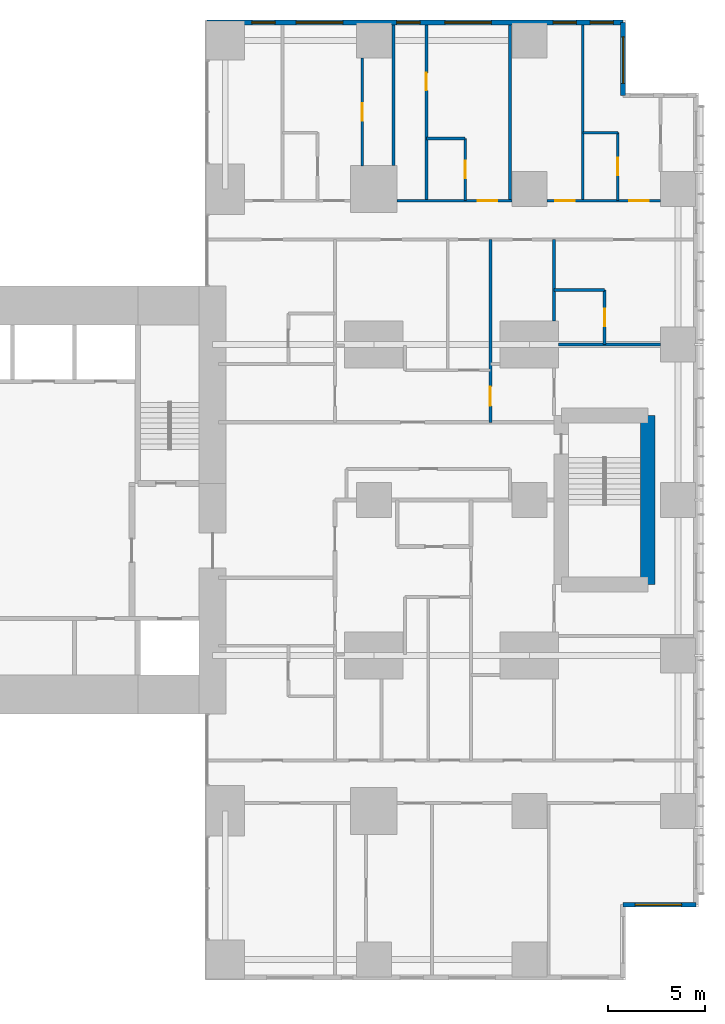
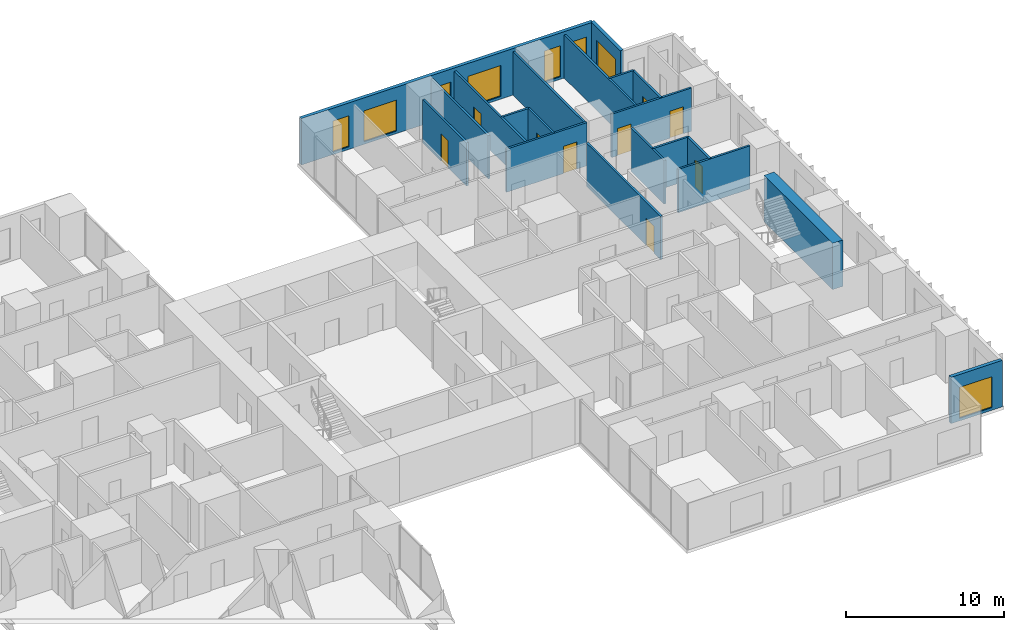
# One storey, part 18 of 20: 20 walls, 9 doors, 8 windows, 17 openings.
"""IFC4 building model written with IfcOpenShell, lengths in metres."""

from ifc_helpers import new_model, si_unit, direction, frame, frame_2d, origin, place, context, subcontext, project, spatial, rectangle, extrude, material, layer, layer_set, type_object, element, fill, save


model = new_model("IFC4")

# Units and contexts
model_context = context("Model", 3, precision=1e-05, world=origin(), true_north=direction((0.0, 1.0)))
body_context = subcontext(model_context, "Body", "Model", "MODEL_VIEW")
ifc_project = project(units=[si_unit("LENGTHUNIT", "METRE"), si_unit("AREAUNIT", "SQUARE_METRE"), si_unit("VOLUMEUNIT", "CUBIC_METRE"), si_unit("PLANEANGLEUNIT", "RADIAN"), si_unit("MASSUNIT", "GRAM", prefix="KILO")], contexts=[model_context])

# Site, building, storey
site_placement = place(None, origin())
site = spatial("IfcSite", under=ifc_project, at=site_placement, CompositionType="ELEMENT")
building_placement = place(site_placement, origin())
building = spatial("IfcBuilding", under=site, at=building_placement, Name="Cleftline Residences", CompositionType="ELEMENT")
storey_placement = place(building_placement, frame((0.0, 0.0, 196.60009765625)))
storey = spatial("IfcBuildingStorey", under=building, at=storey_placement, Name="L51", CompositionType="ELEMENT", Elevation=196.60009765625)

# Wall, opening, window
ifc_material_1 = material(Name="Rendered reinforced concrete blockwork", Category="masonry")
ifc_layer_1 = layer(ifc_material_1, 0.25)
ifc_layer_set_1 = layer_set([ifc_layer_1], Name="EXTERNAL WALL 250")
wall_type_1 = type_object("IfcWallType", Name="EXTERNAL WALL 250", PredefinedType="SOLIDWALL", material=ifc_layer_set_1)
wall_1_placement = place(storey_placement, frame((62.824951171875, 3.175048828125, 0.0), z_axis=(0.0, 0.0, 1.0), x_axis=(1.0, 0.0, 0.0)))
wall_1 = element("IfcWall", 1, at=wall_1_placement, inside=storey, type_object=wall_type_1, Name="External wall", PredefinedType="SOLIDWALL", context=body_context, shape_type="SweptSolid", body=[
    extrude(rectangle(XDim=3.75, YDim=0.25, at=frame_2d((1.875, 0.0))), origin(), (0.0, 0.0, 1.0), 3.599853515625),
])
opening_1_placement = place(wall_1_placement, frame((0.612548828125, 0.0, 0.199951171875)))
opening_1 = element("IfcOpeningElement", 2, at=opening_1_placement, cuts=wall_1, Name="Opening W9", PredefinedType="OPENING", context=body_context, shape_type="SweptSolid", body=[
    extrude(rectangle(XDim=2.39990234375, YDim=2.39990234375, at=frame_2d((1.199951171875, 1.199951171875))), frame((0.0, 0.135009765625, 0.0), z_axis=(0.0, -1.0, 0.0), x_axis=(1.0, 0.0, 0.0)), (0.0, 0.0, 1.0), 0.27001953125),
])
ifc_material_2 = material(Name="Aluminium frame, clear double glazing", Category="aluminium")
window_type_1 = type_object("IfcWindowType", Name="WINDOW 2400X2400", PartitioningType="DOUBLE_PANEL_VERTICAL", PredefinedType="WINDOW", material=ifc_material_2)
window_1_placement = place(opening_1_placement, origin())
window_1 = element("IfcWindow", 3, at=window_1_placement, inside=storey, type_object=window_type_1, Name="Window", OverallHeight=2.39990234375, OverallWidth=2.39990234375, PartitioningType="SINGLE_PANEL", PredefinedType="WINDOW", context=body_context, shape_type="SweptSolid", body=[
    extrude(rectangle(XDim=2.39990234375, YDim=2.39990234375, at=frame_2d((1.199951171875, 1.199951171875))), frame((0.0, 0.030029296875, 0.0), z_axis=(0.0, -1.0, 0.0), x_axis=(1.0, 0.0, 0.0)), (0.0, 0.0, 1.0), 0.06005859375),
])
fill(opening_1, window_1)

wall_2_placement = place(storey_placement, frame((62.824951171875, 44.824951171875, 0.0), z_axis=(0.0, 0.0, 1.0), x_axis=(0.0, 1.0, 0.0)))
wall_2 = element("IfcWall", 4, at=wall_2_placement, inside=storey, type_object=wall_type_1, Name="External wall", PredefinedType="SOLIDWALL", context=body_context, shape_type="SweptSolid", body=[
    extrude(rectangle(XDim=3.75, YDim=0.25, at=frame_2d((1.875, 0.0))), origin(), (0.0, 0.0, 1.0), 3.599853515625),
])
opening_2_placement = place(wall_2_placement, frame((0.612548828125, 0.0, 0.199951171875)))
opening_2 = element("IfcOpeningElement", 5, at=opening_2_placement, cuts=wall_2, Name="Opening W9", PredefinedType="OPENING", context=body_context, shape_type="SweptSolid", body=[
    extrude(rectangle(XDim=2.39990234375, YDim=2.39990234375, at=frame_2d((1.199951171875, 1.199951171875))), frame((0.0, 0.135009765625, 0.0), z_axis=(0.0, -1.0, 0.0), x_axis=(1.0, 0.0, 0.0)), (0.0, 0.0, 1.0), 0.27001953125),
])
window_2_placement = place(opening_2_placement, origin())
window_2 = element("IfcWindow", 6, at=window_2_placement, inside=storey, type_object=window_type_1, Name="Window", OverallHeight=2.39990234375, OverallWidth=2.39990234375, PartitioningType="SINGLE_PANEL", PredefinedType="WINDOW", context=body_context, shape_type="SweptSolid", body=[
    extrude(rectangle(XDim=2.39990234375, YDim=2.39990234375, at=frame_2d((1.199951171875, 1.199951171875))), frame((0.0, 0.030029296875, 0.0), z_axis=(0.0, -1.0, 0.0), x_axis=(1.0, 0.0, 0.0)), (0.0, 0.0, 1.0), 0.06005859375),
])
fill(opening_2, window_2)

# Wall, openings, windows
wall_3_placement = place(storey_placement, frame((62.824951171875, 48.574951171875, 0.0), z_axis=(0.0, 0.0, 1.0), x_axis=(-1.0, 0.0, 0.0)))
wall_3 = element("IfcWall", 7, at=wall_3_placement, inside=storey, type_object=wall_type_1, Name="External wall", PredefinedType="SOLIDWALL", context=body_context, shape_type="SweptSolid", body=[
    extrude(rectangle(XDim=21.39990234375, YDim=0.25, at=frame_2d((10.699951171875, 0.0))), origin(), (0.0, 0.0, 1.0), 3.599853515625),
])
opening_3_placement = place(wall_3_placement, frame((0.5, 0.0, 0.199951171875)))
opening_3 = element("IfcOpeningElement", 8, at=opening_3_placement, cuts=wall_3, Name="Opening W13", PredefinedType="OPENING", context=body_context, shape_type="SweptSolid", body=[
    extrude(rectangle(XDim=1.199951171875, YDim=2.39990234375, at=frame_2d((0.60009765625, 1.199951171875))), frame((0.0, 0.135009765625, 0.0), z_axis=(0.0, -1.0, 0.0), x_axis=(1.0, 0.0, 0.0)), (0.0, 0.0, 1.0), 0.27001953125),
])
opening_4_placement = place(wall_3_placement, frame((2.39990234375, 0.0, 0.199951171875)))
opening_4 = element("IfcOpeningElement", 9, at=opening_4_placement, cuts=wall_3, Name="Opening W13", PredefinedType="OPENING", context=body_context, shape_type="SweptSolid", body=[
    extrude(rectangle(XDim=1.199951171875, YDim=2.39990234375, at=frame_2d((0.60009765625, 1.199951171875))), frame((0.0, 0.135009765625, 0.0), z_axis=(0.0, -1.0, 0.0), x_axis=(1.0, 0.0, 0.0)), (0.0, 0.0, 1.0), 0.27001953125),
])
opening_5_placement = place(wall_3_placement, frame((6.77490234375, 0.0, 0.199951171875)))
opening_5 = element("IfcOpeningElement", 10, at=opening_5_placement, cuts=wall_3, Name="Opening W9", PredefinedType="OPENING", context=body_context, shape_type="SweptSolid", body=[
    extrude(rectangle(XDim=2.39990234375, YDim=2.39990234375, at=frame_2d((1.199951171875, 1.199951171875))), frame((0.0, 0.135009765625, 0.0), z_axis=(0.0, -1.0, 0.0), x_axis=(1.0, 0.0, 0.0)), (0.0, 0.0, 1.0), 0.27001953125),
])
opening_6_placement = place(wall_3_placement, frame((10.449951171875, 0.0, 0.199951171875)))
opening_6 = element("IfcOpeningElement", 11, at=opening_6_placement, cuts=wall_3, Name="Opening W13", PredefinedType="OPENING", context=body_context, shape_type="SweptSolid", body=[
    extrude(rectangle(XDim=1.199951171875, YDim=2.39990234375, at=frame_2d((0.60009765625, 1.199951171875))), frame((0.0, 0.135009765625, 0.0), z_axis=(0.0, -1.0, 0.0), x_axis=(1.0, 0.0, 0.0)), (0.0, 0.0, 1.0), 0.27001953125),
])
opening_7_placement = place(wall_3_placement, frame((14.425048828125, 0.0, 0.199951171875)))
opening_7 = element("IfcOpeningElement", 12, at=opening_7_placement, cuts=wall_3, Name="Opening W9", PredefinedType="OPENING", context=body_context, shape_type="SweptSolid", body=[
    extrude(rectangle(XDim=2.39990234375, YDim=2.39990234375, at=frame_2d((1.199951171875, 1.199951171875))), frame((0.0, 0.135009765625, 0.0), z_axis=(0.0, -1.0, 0.0), x_axis=(1.0, 0.0, 0.0)), (0.0, 0.0, 1.0), 0.27001953125),
])
opening_8_placement = place(wall_3_placement, frame((17.89990234375, 0.0, 0.199951171875)))
opening_8 = element("IfcOpeningElement", 13, at=opening_8_placement, cuts=wall_3, Name="Opening W13", PredefinedType="OPENING", context=body_context, shape_type="SweptSolid", body=[
    extrude(rectangle(XDim=1.199951171875, YDim=2.39990234375, at=frame_2d((0.60009765625, 1.199951171875))), frame((0.0, 0.135009765625, 0.0), z_axis=(0.0, -1.0, 0.0), x_axis=(1.0, 0.0, 0.0)), (0.0, 0.0, 1.0), 0.27001953125),
])
ifc_material_3 = material(Name="Aluminium frame, clear double glazing", Category="aluminium")
window_type_2 = type_object("IfcWindowType", Name="WINDOW 1200X2400", PartitioningType="DOUBLE_PANEL_VERTICAL", PredefinedType="WINDOW", material=ifc_material_3)
window_3_placement = place(opening_3_placement, origin())
window_3 = element("IfcWindow", 14, at=window_3_placement, inside=storey, type_object=window_type_2, Name="Window", OverallHeight=2.39990234375, OverallWidth=1.199951171875, PartitioningType="SINGLE_PANEL", PredefinedType="WINDOW", context=body_context, shape_type="SweptSolid", body=[
    extrude(rectangle(XDim=1.199951171875, YDim=2.39990234375, at=frame_2d((0.60009765625, 1.199951171875))), frame((0.0, 0.030029296875, 0.0), z_axis=(0.0, -1.0, 0.0), x_axis=(1.0, 0.0, 0.0)), (0.0, 0.0, 1.0), 0.06005859375),
])
fill(opening_3, window_3)
window_4_placement = place(opening_4_placement, origin())
window_4 = element("IfcWindow", 15, at=window_4_placement, inside=storey, type_object=window_type_2, Name="Window", OverallHeight=2.39990234375, OverallWidth=1.199951171875, PartitioningType="SINGLE_PANEL", PredefinedType="WINDOW", context=body_context, shape_type="SweptSolid", body=[
    extrude(rectangle(XDim=1.199951171875, YDim=2.39990234375, at=frame_2d((0.60009765625, 1.199951171875))), frame((0.0, 0.030029296875, 0.0), z_axis=(0.0, -1.0, 0.0), x_axis=(1.0, 0.0, 0.0)), (0.0, 0.0, 1.0), 0.06005859375),
])
fill(opening_4, window_4)
window_5_placement = place(opening_6_placement, origin())
window_5 = element("IfcWindow", 16, at=window_5_placement, inside=storey, type_object=window_type_2, Name="Window", OverallHeight=2.39990234375, OverallWidth=1.199951171875, PartitioningType="SINGLE_PANEL", PredefinedType="WINDOW", context=body_context, shape_type="SweptSolid", body=[
    extrude(rectangle(XDim=1.199951171875, YDim=2.39990234375, at=frame_2d((0.60009765625, 1.199951171875))), frame((0.0, 0.030029296875, 0.0), z_axis=(0.0, -1.0, 0.0), x_axis=(1.0, 0.0, 0.0)), (0.0, 0.0, 1.0), 0.06005859375),
])
fill(opening_6, window_5)
window_6_placement = place(opening_8_placement, origin())
window_6 = element("IfcWindow", 17, at=window_6_placement, inside=storey, type_object=window_type_2, Name="Window", OverallHeight=2.39990234375, OverallWidth=1.199951171875, PartitioningType="SINGLE_PANEL", PredefinedType="WINDOW", context=body_context, shape_type="SweptSolid", body=[
    extrude(rectangle(XDim=1.199951171875, YDim=2.39990234375, at=frame_2d((0.60009765625, 1.199951171875))), frame((0.0, 0.030029296875, 0.0), z_axis=(0.0, -1.0, 0.0), x_axis=(1.0, 0.0, 0.0)), (0.0, 0.0, 1.0), 0.06005859375),
])
fill(opening_8, window_6)
window_7_placement = place(opening_5_placement, origin())
window_7 = element("IfcWindow", 18, at=window_7_placement, inside=storey, type_object=window_type_1, Name="Window", OverallHeight=2.39990234375, OverallWidth=2.39990234375, PartitioningType="SINGLE_PANEL", PredefinedType="WINDOW", context=body_context, shape_type="SweptSolid", body=[
    extrude(rectangle(XDim=2.39990234375, YDim=2.39990234375, at=frame_2d((1.199951171875, 1.199951171875))), frame((0.0, 0.030029296875, 0.0), z_axis=(0.0, -1.0, 0.0), x_axis=(1.0, 0.0, 0.0)), (0.0, 0.0, 1.0), 0.06005859375),
])
fill(opening_5, window_7)
window_8_placement = place(opening_7_placement, origin())
window_8 = element("IfcWindow", 19, at=window_8_placement, inside=storey, type_object=window_type_1, Name="Window", OverallHeight=2.39990234375, OverallWidth=2.39990234375, PartitioningType="SINGLE_PANEL", PredefinedType="WINDOW", context=body_context, shape_type="SweptSolid", body=[
    extrude(rectangle(XDim=2.39990234375, YDim=2.39990234375, at=frame_2d((1.199951171875, 1.199951171875))), frame((0.0, 0.030029296875, 0.0), z_axis=(0.0, -1.0, 0.0), x_axis=(1.0, 0.0, 0.0)), (0.0, 0.0, 1.0), 0.06005859375),
])
fill(opening_7, window_8)

# Walls
ifc_material_4 = material(Name="Gypsum board on steel studs", Category="steel")
ifc_layer_2 = layer(ifc_material_4, 0.14990234375)
ifc_layer_set_2 = layer_set([ifc_layer_2], Name="PARTITION 150")
wall_type_2 = type_object("IfcWallType", Name="PARTITION 150", PredefinedType="PARTITIONING", material=ifc_layer_set_2)
wall_4_placement = place(storey_placement, frame((59.5, 32.0, 0.0), z_axis=(0.0, 0.0, 1.0), x_axis=(1.0, 0.0, 0.0)))
element("IfcWall", 20, at=wall_4_placement, inside=storey, type_object=wall_type_2, Name="Partition", PredefinedType="PARTITIONING", context=body_context, shape_type="SweptSolid", body=[
    extrude(rectangle(XDim=5.25, YDim=0.14990234375, at=frame_2d((2.625, 0.0))), origin(), (0.0, 0.0, 1.0), 3.349853515625),
])
wall_5_placement = place(storey_placement, frame((59.27490234375, 34.800048828125, 0.0), z_axis=(0.0, 0.0, 1.0), x_axis=(1.0, 0.0, 0.0)))
element("IfcWall", 21, at=wall_5_placement, inside=storey, type_object=wall_type_2, Name="Partition", PredefinedType="PARTITIONING", context=body_context, shape_type="SweptSolid", body=[
    extrude(rectangle(XDim=2.60009765625, YDim=0.14990234375, at=frame_2d((1.300048828125, 0.0))), origin(), (0.0, 0.0, 1.0), 3.349853515625),
])

# Wall, opening, door
wall_6_placement = place(storey_placement, frame((51.199951171875, 39.39990234375, 0.0), z_axis=(0.0, 0.0, 1.0), x_axis=(1.0, 0.0, 0.0)))
wall_6 = element("IfcWall", 22, at=wall_6_placement, inside=storey, type_object=wall_type_2, Name="Partition", PredefinedType="PARTITIONING", context=body_context, shape_type="SweptSolid", body=[
    extrude(rectangle(XDim=5.900146484375, YDim=0.14990234375, at=frame_2d((2.9501953125, 0.0))), origin(), (0.0, 0.0, 1.0), 3.349853515625),
])
opening_9_placement = place(wall_6_placement, frame((4.14990234375, 0.0, 0.0)))
opening_9 = element("IfcOpeningElement", 23, at=opening_9_placement, cuts=wall_6, Name="Opening D2", PredefinedType="OPENING", context=body_context, shape_type="SweptSolid", body=[
    extrude(rectangle(XDim=1.0, YDim=2.10009765625, at=frame_2d((0.5, 1.050048828125))), frame((0.0, 0.0849609375, 0.0), z_axis=(0.0, -1.0, 0.0), x_axis=(1.0, 0.0, 0.0)), (0.0, 0.0, 1.0), 0.169921875),
])
ifc_material_5 = material(Name="Timber veneer on solid core", Category="wood")
door_type_1 = type_object("IfcDoorType", Name="DOOR 1000X2100", OperationType="SINGLE_SWING_LEFT", PredefinedType="DOOR", material=ifc_material_5)
door_1_placement = place(opening_9_placement, origin())
door_1 = element("IfcDoor", 24, at=door_1_placement, inside=storey, type_object=door_type_1, Name="Door to bedroom 3", OperationType="SINGLE_SWING_LEFT", OverallHeight=2.10009765625, OverallWidth=1.0, PredefinedType="DOOR", context=body_context, shape_type="SweptSolid", body=[
    extrude(rectangle(XDim=1.0, YDim=2.10009765625, at=frame_2d((0.5, 1.050048828125))), frame((0.0, 0.02490234375, 0.0), z_axis=(0.0, -1.0, 0.0), x_axis=(1.0, 0.0, 0.0)), (0.0, 0.0, 1.0), 0.050048828125),
])
fill(opening_9, door_1)

# Wall, openings, doors
wall_7_placement = place(storey_placement, frame((58.89990234375, 39.39990234375, 0.0), z_axis=(0.0, 0.0, 1.0), x_axis=(1.0, 0.0, 0.0)))
wall_7 = element("IfcWall", 25, at=wall_7_placement, inside=storey, type_object=wall_type_2, Name="Partition", PredefinedType="PARTITIONING", context=body_context, shape_type="SweptSolid", body=[
    extrude(rectangle(XDim=5.85009765625, YDim=0.14990234375, at=frame_2d((2.925048828125, 0.0))), origin(), (0.0, 0.0, 1.0), 3.349853515625),
])
opening_10_placement = place(wall_7_placement, frame((4.25, 0.0, 0.0)))
opening_10 = element("IfcOpeningElement", 26, at=opening_10_placement, cuts=wall_7, Name="Opening D2", PredefinedType="OPENING", context=body_context, shape_type="SweptSolid", body=[
    extrude(rectangle(XDim=1.0, YDim=2.10009765625, at=frame_2d((0.5, 1.050048828125))), frame((0.0, 0.0849609375, 0.0), z_axis=(0.0, -1.0, 0.0), x_axis=(1.0, 0.0, 0.0)), (0.0, 0.0, 1.0), 0.169921875),
])
opening_11_placement = place(wall_7_placement, frame((0.425048828125, 0.0, 0.0)))
opening_11 = element("IfcOpeningElement", 27, at=opening_11_placement, cuts=wall_7, Name="Opening D2", PredefinedType="OPENING", context=body_context, shape_type="SweptSolid", body=[
    extrude(rectangle(XDim=1.0, YDim=2.10009765625, at=frame_2d((0.5, 1.050048828125))), frame((0.0, 0.0849609375, 0.0), z_axis=(0.0, -1.0, 0.0), x_axis=(1.0, 0.0, 0.0)), (0.0, 0.0, 1.0), 0.169921875),
])
door_2_placement = place(opening_10_placement, origin())
door_2 = element("IfcDoor", 28, at=door_2_placement, inside=storey, type_object=door_type_1, Name="Door to bedroom 2", OperationType="SINGLE_SWING_LEFT", OverallHeight=2.10009765625, OverallWidth=1.0, PredefinedType="DOOR", context=body_context, shape_type="SweptSolid", body=[
    extrude(rectangle(XDim=1.0, YDim=2.10009765625, at=frame_2d((0.5, 1.050048828125))), frame((0.0, 0.02490234375, 0.0), z_axis=(0.0, -1.0, 0.0), x_axis=(1.0, 0.0, 0.0)), (0.0, 0.0, 1.0), 0.050048828125),
])
fill(opening_10, door_2)
door_3_placement = place(opening_11_placement, origin())
door_3 = element("IfcDoor", 29, at=door_3_placement, inside=storey, type_object=door_type_1, Name="Door to bedroom 2 sitting room", OperationType="SINGLE_SWING_RIGHT", OverallHeight=2.10009765625, OverallWidth=1.0, PredefinedType="DOOR", context=body_context, shape_type="SweptSolid", body=[
    extrude(rectangle(XDim=1.0, YDim=2.10009765625, at=frame_2d((0.5, 1.050048828125))), frame((0.0, 0.02490234375, 0.0), z_axis=(0.0, -1.0, 0.0), x_axis=(1.0, 0.0, 0.0)), (0.0, 0.0, 1.0), 0.050048828125),
])
fill(opening_11, door_3)

# Walls
wall_8_placement = place(storey_placement, frame((52.699951171875, 42.60009765625, 0.0), z_axis=(0.0, 0.0, 1.0), x_axis=(1.0, 0.0, 0.0)))
element("IfcWall", 30, at=wall_8_placement, inside=storey, type_object=wall_type_2, Name="Partition", PredefinedType="PARTITIONING", context=body_context, shape_type="SweptSolid", body=[
    extrude(rectangle(XDim=2.0, YDim=0.14990234375, at=frame_2d((1.0, 0.0))), origin(), (0.0, 0.0, 1.0), 3.349853515625),
])
wall_9_placement = place(storey_placement, frame((60.75, 42.89990234375, 0.0), z_axis=(0.0, 0.0, 1.0), x_axis=(1.0, 0.0, 0.0)))
element("IfcWall", 31, at=wall_9_placement, inside=storey, type_object=wall_type_2, Name="Partition", PredefinedType="PARTITIONING", context=body_context, shape_type="SweptSolid", body=[
    extrude(rectangle(XDim=1.800048828125, YDim=0.14990234375, at=frame_2d((0.89990234375, 0.0))), origin(), (0.0, 0.0, 1.0), 3.349853515625),
])

# Wall, opening, door
wall_10_placement = place(storey_placement, frame((49.39990234375, 41.199951171875, 0.0), z_axis=(0.0, 0.0, 1.0), x_axis=(0.0, 1.0, 0.0)))
wall_10 = element("IfcWall", 32, at=wall_10_placement, inside=storey, type_object=wall_type_2, Name="Partition", PredefinedType="PARTITIONING", context=body_context, shape_type="SweptSolid", body=[
    extrude(rectangle(XDim=5.550048828125, YDim=0.14990234375, at=frame_2d((2.77490234375, 0.0))), origin(), (0.0, 0.0, 1.0), 3.349853515625),
])
opening_12_placement = place(wall_10_placement, frame((2.324951171875, 0.0, 0.0)))
opening_12 = element("IfcOpeningElement", 33, at=opening_12_placement, cuts=wall_10, Name="Opening D1", PredefinedType="OPENING", context=body_context, shape_type="SweptSolid", body=[
    extrude(rectangle(XDim=0.89990234375, YDim=2.10009765625, at=frame_2d((0.449951171875, 1.050048828125))), frame((0.0, 0.0849609375, 0.0), z_axis=(0.0, -1.0, 0.0), x_axis=(1.0, 0.0, 0.0)), (0.0, 0.0, 1.0), 0.169921875),
])
ifc_material_6 = material(Name="Timber veneer on solid core", Category="wood")
door_type_2 = type_object("IfcDoorType", Name="DOOR 900X2100", OperationType="SINGLE_SWING_LEFT", PredefinedType="DOOR", material=ifc_material_6)
door_4_placement = place(opening_12_placement, origin())
door_4 = element("IfcDoor", 34, at=door_4_placement, inside=storey, type_object=door_type_2, Name="Door to walk-in wardrobe", OperationType="SINGLE_SWING_LEFT", OverallHeight=2.10009765625, OverallWidth=0.89990234375, PredefinedType="DOOR", context=body_context, shape_type="SweptSolid", body=[
    extrude(rectangle(XDim=0.89990234375, YDim=2.10009765625, at=frame_2d((0.449951171875, 1.050048828125))), frame((0.0, 0.02490234375, 0.0), z_axis=(0.0, -1.0, 0.0), x_axis=(1.0, 0.0, 0.0)), (0.0, 0.0, 1.0), 0.050048828125),
])
fill(opening_12, door_4)

# Wall
wall_11_placement = place(storey_placement, frame((51.0, 41.199951171875, 0.0), z_axis=(0.0, 0.0, 1.0), x_axis=(0.0, 1.0, 0.0)))
element("IfcWall", 35, at=wall_11_placement, inside=storey, type_object=wall_type_2, Name="Partition", PredefinedType="PARTITIONING", context=body_context, shape_type="SweptSolid", body=[
    extrude(rectangle(XDim=7.25, YDim=0.14990234375, at=frame_2d((3.625, 0.0))), origin(), (0.0, 0.0, 1.0), 3.349853515625),
])

# Wall, opening, door
wall_12_placement = place(storey_placement, frame((52.699951171875, 39.39990234375, 0.0), z_axis=(0.0, 0.0, 1.0), x_axis=(0.0, 1.0, 0.0)))
wall_12 = element("IfcWall", 36, at=wall_12_placement, inside=storey, type_object=wall_type_2, Name="Partition", PredefinedType="PARTITIONING", context=body_context, shape_type="SweptSolid", body=[
    extrude(rectangle(XDim=9.050048828125, YDim=0.14990234375, at=frame_2d((4.52490234375, 0.0))), origin(), (0.0, 0.0, 1.0), 3.349853515625),
])
opening_13_placement = place(wall_12_placement, frame((5.675048828125, 0.0, 0.0)))
opening_13 = element("IfcOpeningElement", 37, at=opening_13_placement, cuts=wall_12, Name="Opening D1", PredefinedType="OPENING", context=body_context, shape_type="SweptSolid", body=[
    extrude(rectangle(XDim=0.89990234375, YDim=2.10009765625, at=frame_2d((0.449951171875, 1.050048828125))), frame((0.0, 0.0849609375, 0.0), z_axis=(0.0, -1.0, 0.0), x_axis=(1.0, 0.0, 0.0)), (0.0, 0.0, 1.0), 0.169921875),
])
door_5_placement = place(opening_13_placement, origin())
door_5 = element("IfcDoor", 38, at=door_5_placement, inside=storey, type_object=door_type_2, Name="Door to walk-in wardrobe", OperationType="SINGLE_SWING_LEFT", OverallHeight=2.10009765625, OverallWidth=0.89990234375, PredefinedType="DOOR", context=body_context, shape_type="SweptSolid", body=[
    extrude(rectangle(XDim=0.89990234375, YDim=2.10009765625, at=frame_2d((0.449951171875, 1.050048828125))), frame((0.0, 0.02490234375, 0.0), z_axis=(0.0, -1.0, 0.0), x_axis=(1.0, 0.0, 0.0)), (0.0, 0.0, 1.0), 0.050048828125),
])
fill(opening_13, door_5)

wall_13_placement = place(storey_placement, frame((54.699951171875, 39.39990234375, 0.0), z_axis=(0.0, 0.0, 1.0), x_axis=(0.0, 1.0, 0.0)))
wall_13 = element("IfcWall", 39, at=wall_13_placement, inside=storey, type_object=wall_type_2, Name="Partition", PredefinedType="PARTITIONING", context=body_context, shape_type="SweptSolid", body=[
    extrude(rectangle(XDim=3.2001953125, YDim=0.14990234375, at=frame_2d((1.60009765625, 0.0))), origin(), (0.0, 0.0, 1.0), 3.349853515625),
])
opening_14_placement = place(wall_13_placement, frame((1.14990234375, 0.0, 0.0)))
opening_14 = element("IfcOpeningElement", 40, at=opening_14_placement, cuts=wall_13, Name="Opening D1", PredefinedType="OPENING", context=body_context, shape_type="SweptSolid", body=[
    extrude(rectangle(XDim=0.89990234375, YDim=2.10009765625, at=frame_2d((0.449951171875, 1.050048828125))), frame((0.0, 0.0849609375, 0.0), z_axis=(0.0, -1.0, 0.0), x_axis=(1.0, 0.0, 0.0)), (0.0, 0.0, 1.0), 0.169921875),
])
door_6_placement = place(opening_14_placement, origin())
door_6 = element("IfcDoor", 41, at=door_6_placement, inside=storey, type_object=door_type_2, Name="Door to en-suite bathroom 3", OperationType="SINGLE_SWING_LEFT", OverallHeight=2.10009765625, OverallWidth=0.89990234375, PredefinedType="DOOR", context=body_context, shape_type="SweptSolid", body=[
    extrude(rectangle(XDim=0.89990234375, YDim=2.10009765625, at=frame_2d((0.449951171875, 1.050048828125))), frame((0.0, 0.02490234375, 0.0), z_axis=(0.0, -1.0, 0.0), x_axis=(1.0, 0.0, 0.0)), (0.0, 0.0, 1.0), 0.050048828125),
])
fill(opening_14, door_6)

wall_14_placement = place(storey_placement, frame((56.0, 28.0, 0.0), z_axis=(0.0, 0.0, 1.0), x_axis=(0.0, 1.0, 0.0)))
wall_14 = element("IfcWall", 42, at=wall_14_placement, inside=storey, type_object=wall_type_2, Name="Partition", PredefinedType="PARTITIONING", context=body_context, shape_type="SweptSolid", body=[
    extrude(rectangle(XDim=9.39990234375, YDim=0.14990234375, at=frame_2d((4.699951171875, 0.0))), origin(), (0.0, 0.0, 1.0), 3.349853515625),
])
opening_15_placement = place(wall_14_placement, frame((0.83740234375, 0.0, 0.0)))
opening_15 = element("IfcOpeningElement", 43, at=opening_15_placement, cuts=wall_14, Name="Opening D2F30", PredefinedType="OPENING", context=body_context, shape_type="SweptSolid", body=[
    extrude(rectangle(XDim=1.0, YDim=2.10009765625, at=frame_2d((0.5, 1.050048828125))), frame((0.0, 0.0849609375, 0.0), z_axis=(0.0, -1.0, 0.0), x_axis=(1.0, 0.0, 0.0)), (0.0, 0.0, 1.0), 0.169921875),
])
ifc_material_7 = material(Name="Timber veneer on solid core", Category="wood")
door_type_3 = type_object("IfcDoorType", Name="DOOR 1000X2100 EI 30", OperationType="SINGLE_SWING_LEFT", PredefinedType="DOOR", material=ifc_material_7)
door_7_placement = place(opening_15_placement, origin())
door_7 = element("IfcDoor", 44, at=door_7_placement, inside=storey, type_object=door_type_3, Name="Door to residence lobby (service)", OperationType="SINGLE_SWING_RIGHT", OverallHeight=2.10009765625, OverallWidth=1.0, PredefinedType="DOOR", context=body_context, shape_type="SweptSolid", body=[
    extrude(rectangle(XDim=1.0, YDim=2.10009765625, at=frame_2d((0.5, 1.050048828125))), frame((0.0, 0.02490234375, 0.0), z_axis=(0.0, -1.0, 0.0), x_axis=(1.0, 0.0, 0.0)), (0.0, 0.0, 1.0), 0.050048828125),
])
fill(opening_15, door_7)

# Walls
wall_15_placement = place(storey_placement, frame((57.0, 39.39990234375, 0.0), z_axis=(0.0, 0.0, 1.0), x_axis=(0.0, 1.0, 0.0)))
element("IfcWall", 45, at=wall_15_placement, inside=storey, type_object=wall_type_2, Name="Partition", PredefinedType="PARTITIONING", context=body_context, shape_type="SweptSolid", body=[
    extrude(rectangle(XDim=9.050048828125, YDim=0.14990234375, at=frame_2d((4.52490234375, 0.0))), origin(), (0.0, 0.0, 1.0), 3.349853515625),
])
wall_16_placement = place(storey_placement, frame((59.27490234375, 33.199951171875, 0.0), z_axis=(0.0, 0.0, 1.0), x_axis=(0.0, 1.0, 0.0)))
element("IfcWall", 46, at=wall_16_placement, inside=storey, type_object=wall_type_2, Name="Partition", PredefinedType="PARTITIONING", context=body_context, shape_type="SweptSolid", body=[
    extrude(rectangle(XDim=4.199951171875, YDim=0.14990234375, at=frame_2d((2.10009765625, 0.0))), origin(), (0.0, 0.0, 1.0), 3.349853515625),
])
wall_17_placement = place(storey_placement, frame((60.75, 39.39990234375, 0.0), z_axis=(0.0, 0.0, 1.0), x_axis=(0.0, 1.0, 0.0)))
element("IfcWall", 47, at=wall_17_placement, inside=storey, type_object=wall_type_2, Name="Partition", PredefinedType="PARTITIONING", context=body_context, shape_type="SweptSolid", body=[
    extrude(rectangle(XDim=9.050048828125, YDim=0.14990234375, at=frame_2d((4.52490234375, 0.0))), origin(), (0.0, 0.0, 1.0), 3.349853515625),
])

# Wall, opening, door
wall_18_placement = place(storey_placement, frame((61.875, 32.0, 0.0), z_axis=(0.0, 0.0, 1.0), x_axis=(0.0, 1.0, 0.0)))
wall_18 = element("IfcWall", 48, at=wall_18_placement, inside=storey, type_object=wall_type_2, Name="Partition", PredefinedType="PARTITIONING", context=body_context, shape_type="SweptSolid", body=[
    extrude(rectangle(XDim=2.800048828125, YDim=0.14990234375, at=frame_2d((1.39990234375, 0.0))), origin(), (0.0, 0.0, 1.0), 3.349853515625),
])
opening_16_placement = place(wall_18_placement, frame((0.949951171875, 0.0, 0.0)))
opening_16 = element("IfcOpeningElement", 49, at=opening_16_placement, cuts=wall_18, Name="Opening D1", PredefinedType="OPENING", context=body_context, shape_type="SweptSolid", body=[
    extrude(rectangle(XDim=0.89990234375, YDim=2.10009765625, at=frame_2d((0.449951171875, 1.050048828125))), frame((0.0, 0.0849609375, 0.0), z_axis=(0.0, -1.0, 0.0), x_axis=(1.0, 0.0, 0.0)), (0.0, 0.0, 1.0), 0.169921875),
])
door_8_placement = place(opening_16_placement, origin())
door_8 = element("IfcDoor", 50, at=door_8_placement, inside=storey, type_object=door_type_2, Name="Door to master bathroom", OperationType="SINGLE_SWING_LEFT", OverallHeight=2.10009765625, OverallWidth=0.89990234375, PredefinedType="DOOR", context=body_context, shape_type="SweptSolid", body=[
    extrude(rectangle(XDim=0.89990234375, YDim=2.10009765625, at=frame_2d((0.449951171875, 1.050048828125))), frame((0.0, 0.02490234375, 0.0), z_axis=(0.0, -1.0, 0.0), x_axis=(1.0, 0.0, 0.0)), (0.0, 0.0, 1.0), 0.050048828125),
])
fill(opening_16, door_8)

wall_19_placement = place(storey_placement, frame((62.550048828125, 39.39990234375, 0.0), z_axis=(0.0, 0.0, 1.0), x_axis=(0.0, 1.0, 0.0)))
wall_19 = element("IfcWall", 51, at=wall_19_placement, inside=storey, type_object=wall_type_2, Name="Partition", PredefinedType="PARTITIONING", context=body_context, shape_type="SweptSolid", body=[
    extrude(rectangle(XDim=3.5, YDim=0.14990234375, at=frame_2d((1.75, 0.0))), origin(), (0.0, 0.0, 1.0), 3.349853515625),
])
opening_17_placement = place(wall_19_placement, frame((1.300048828125, 0.0, 0.0)))
opening_17 = element("IfcOpeningElement", 52, at=opening_17_placement, cuts=wall_19, Name="Opening D1", PredefinedType="OPENING", context=body_context, shape_type="SweptSolid", body=[
    extrude(rectangle(XDim=0.89990234375, YDim=2.10009765625, at=frame_2d((0.449951171875, 1.050048828125))), frame((0.0, 0.0849609375, 0.0), z_axis=(0.0, -1.0, 0.0), x_axis=(1.0, 0.0, 0.0)), (0.0, 0.0, 1.0), 0.169921875),
])
door_9_placement = place(opening_17_placement, origin())
door_9 = element("IfcDoor", 53, at=door_9_placement, inside=storey, type_object=door_type_2, Name="Door to en-suite bathroom 2", OperationType="SINGLE_SWING_LEFT", OverallHeight=2.10009765625, OverallWidth=0.89990234375, PredefinedType="DOOR", context=body_context, shape_type="SweptSolid", body=[
    extrude(rectangle(XDim=0.89990234375, YDim=2.10009765625, at=frame_2d((0.449951171875, 1.050048828125))), frame((0.0, 0.02490234375, 0.0), z_axis=(0.0, -1.0, 0.0), x_axis=(1.0, 0.0, 0.0)), (0.0, 0.0, 1.0), 0.050048828125),
])
fill(opening_17, door_9)

# Wall
ifc_material_8 = material(Name="Concrete B70", Category="concrete")
ifc_layer_3 = layer(ifc_material_8, 0.75)
ifc_layer_set_3 = layer_set([ifc_layer_3], Name="SHEAR WALL 750")
wall_type_3 = type_object("IfcWallType", Name="SHEAR WALL 750", PredefinedType="SHEAR", material=ifc_layer_set_3)
wall_20_placement = place(storey_placement, frame((64.10009765625, 19.64990234375, 0.0), z_axis=(0.0, 0.0, 1.0), x_axis=(0.0, 1.0, 0.0)))
element("IfcWall", 54, at=wall_20_placement, inside=storey, type_object=wall_type_3, Name="Wing shear wall", PredefinedType="SHEAR", context=body_context, shape_type="SweptSolid", body=[
    extrude(rectangle(XDim=8.7001953125, YDim=0.75, at=frame_2d((4.35009765625, 0.0))), origin(), (0.0, 0.0, 1.0), 3.599853515625),
])

save(model, "model.ifc")
